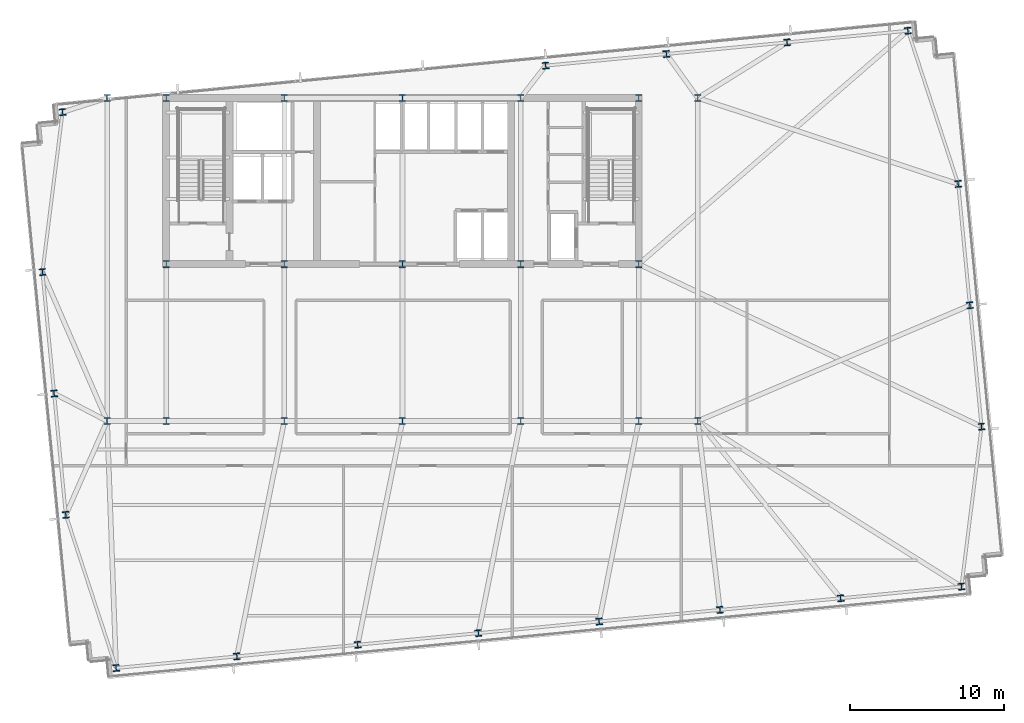
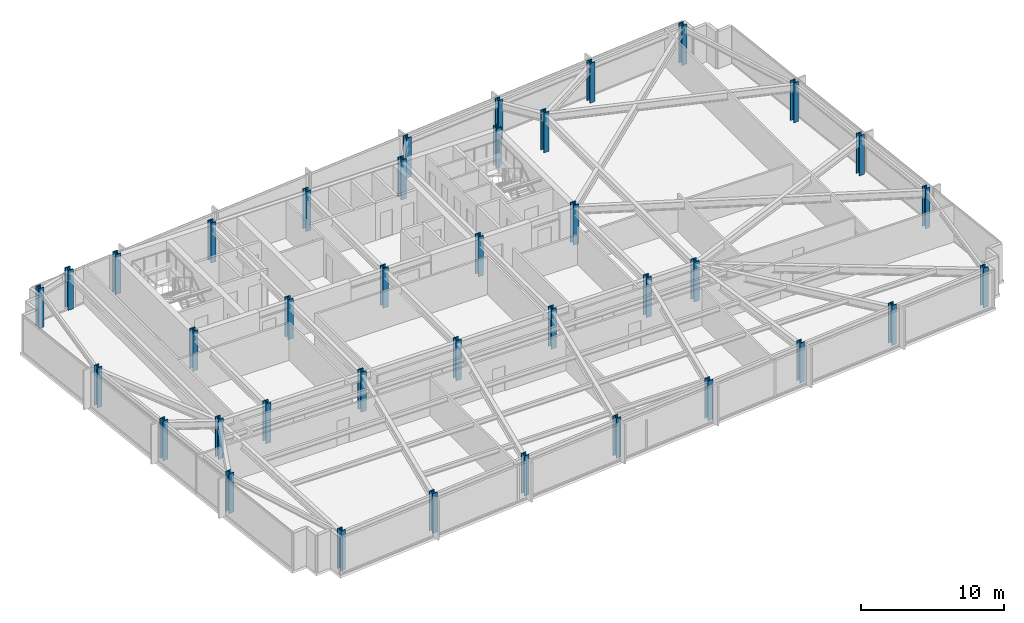
# One storey, part 1 of 32: 38 columns.
"""IFC4 building model written with IfcOpenShell, lengths in metres."""

import ifcopenshell
import ifcopenshell.guid

model = None  # the IFC model being written
_history = None  # IfcOwnerHistory: only IFC2X3 demands one
_inside = {}  # id of a spatial element -> (the spatial element, [elements in it])
_under = {}  # id of a project, library or spatial element -> (it, [spatial elements below it])
_declared = {}  # id of a project -> (the project, [libraries it declares])
_typed = {}  # id of a type object -> (the type object, [elements of that type])
_made_of = {}  # id of a material, layer set ... -> (it, [elements and type objects made of it])


def new_model(schema):
    """Start an empty IFC model of exactly this schema.

    Asked for "IFC4X3", IfcOpenShell would pick the latest addendum, in which some entities
    have other attributes; the version numbers below select the first issue.
    IFC2X3 requires an IfcOwnerHistory on every rooted entity: one is made here for all.
    """
    global model, _history
    if schema == "IFC4X3":
        model = ifcopenshell.file(schema_version=(4, 3, 0, 0))
    else:
        model = ifcopenshell.file(schema=schema)
    _inside.clear()
    _under.clear()
    _declared.clear()
    _typed.clear()
    _made_of.clear()
    _history = None
    if model.schema == "IFC2X3":
        org = make("IfcOrganization", Name="unknown")
        user = make(
            "IfcPersonAndOrganization",
            ThePerson=make("IfcPerson", FamilyName="unknown"),
            TheOrganization=org,
        )
        app = make(
            "IfcApplication",
            ApplicationDeveloper=org,
            Version="unknown",
            ApplicationFullName="unknown",
            ApplicationIdentifier="unknown",
        )
        _history = make(
            "IfcOwnerHistory",
            OwningUser=user,
            OwningApplication=app,
            ChangeAction="ADDED",
            CreationDate=0,
        )
    return model


def make(cls, **values):
    """One entity of the class cls with the attributes given. An attribute that is None is left unset."""
    return model.create_entity(
        cls, **{name: value for name, value in values.items() if value is not None}
    )


def rooted(cls, **values):
    """An entity with a GlobalId (a new one), such as an element, a storey or a relation."""
    return make(cls, GlobalId=ifcopenshell.guid.new(), OwnerHistory=_history, **values)


def si_unit(unit_type, name, prefix=None):
    """IfcSIUnit, for example si_unit("LENGTHUNIT", "METRE", prefix="MILLI")."""
    return make("IfcSIUnit", UnitType=unit_type, Prefix=prefix, Name=name)


def assignment(units):
    """IfcUnitAssignment: the units of a project."""
    return None if units is None else make("IfcUnitAssignment", Units=units)


def point(xyz):
    """IfcCartesianPoint."""
    return None if xyz is None else make("IfcCartesianPoint", Coordinates=xyz)


def direction(xyz):
    """IfcDirection."""
    return None if xyz is None else make("IfcDirection", DirectionRatios=xyz)


def frame(location, z_axis=None, x_axis=None):
    """IfcAxis2Placement3D, a coordinate frame: its origin and axes. An axis left out is left unset."""
    return make(
        "IfcAxis2Placement3D",
        Location=point(location),
        Axis=direction(z_axis),
        RefDirection=direction(x_axis),
    )


def frame_2d(location, x_axis=None):
    """IfcAxis2Placement2D, a coordinate frame in the plane: its origin and x axis."""
    return make(
        "IfcAxis2Placement2D", Location=point(location), RefDirection=direction(x_axis)
    )


def origin():
    """The frame at (0, 0, 0) with its axes left unset."""
    return frame((0.0, 0.0, 0.0))


def origin_2d():
    """The frame at (0, 0) in the plane with its x axis left unset."""
    return frame_2d((0.0, 0.0))


def place(relative_to, where):
    """IfcLocalPlacement: puts the frame where relative to a parent placement (None: the world)."""
    return make(
        "IfcLocalPlacement", PlacementRelTo=relative_to, RelativePlacement=where
    )


def context(
    kind, dimensions, precision=None, world=None, true_north=None, identifier=None
):
    """IfcGeometricRepresentationContext, for example the 3D "Model" context."""
    return make(
        "IfcGeometricRepresentationContext",
        ContextIdentifier=identifier,
        ContextType=kind,
        CoordinateSpaceDimension=dimensions,
        Precision=precision,
        WorldCoordinateSystem=world,
        TrueNorth=true_north,
    )


def subcontext(parent, identifier, kind, view, scale=None):
    """IfcGeometricRepresentationSubContext, for example "Body" below "Model"."""
    return make(
        "IfcGeometricRepresentationSubContext",
        ContextIdentifier=identifier,
        ContextType=kind,
        ParentContext=parent,
        TargetScale=scale,
        TargetView=view,
    )


def project(units=None, contexts=None):
    """IfcProject with its units and contexts."""
    return rooted(
        "IfcProject",
        Name="project",
        RepresentationContexts=contexts,
        UnitsInContext=assignment(units),
    )


def spatial(cls, under=None, at=None, **own):
    """A site, building, storey or space (cls), placed at a placement, below another one or the project."""
    s = rooted(cls, ObjectPlacement=at, **own)
    if under is not None:
        _under.setdefault(under.id(), (under, []))[1].append(s)
    return s


def profile(cls, at=None, kind="AREA", **sizes):
    """A parametric profile (cls). Its sizes go by their IFC names, for example OverallWidth=200.0."""
    return make(cls, ProfileType=kind, Position=at, **sizes)


def i_section(**sizes):
    """IfcIShapeProfileDef."""
    return profile("IfcIShapeProfileDef", **sizes)


def extrude(swept, where, along, depth):
    """IfcExtrudedAreaSolid: the profile swept, set in the frame where, extruded along a direction by depth."""
    return make(
        "IfcExtrudedAreaSolid",
        SweptArea=swept,
        Position=where,
        ExtrudedDirection=direction(along),
        Depth=depth,
    )


def shape(context_of_items, identifier, shape_type, items):
    """IfcShapeRepresentation: the items that make up one representation, for example the "Body"."""
    return make(
        "IfcShapeRepresentation",
        ContextOfItems=context_of_items,
        RepresentationIdentifier=identifier,
        RepresentationType=shape_type,
        Items=items,
    )


def material(Name=None, Category=None):
    """IfcMaterial."""
    return make("IfcMaterial", Name=Name, Category=Category)


def material_profile(
    of_material, cross_section, Name=None, Category=None, Priority=None
):
    """IfcMaterialProfile: a cross section and its material."""
    return make(
        "IfcMaterialProfile",
        Name=Name,
        Material=of_material,
        Profile=cross_section,
        Priority=Priority,
        Category=Category,
    )


def profile_set(profiles, Name=None, composite=None):
    """IfcMaterialProfileSet."""
    return make(
        "IfcMaterialProfileSet",
        Name=Name,
        MaterialProfiles=profiles,
        CompositeProfile=composite,
    )


def made_of(thing, what):
    """Note that an element or type object is made of a material, layer set ...; save() writes the relation."""
    if what is not None:
        _made_of.setdefault(what.id(), (what, []))[1].append(thing)
    return thing


def type_object(cls, material=None, **own):
    """A type object (cls), such as IfcWallType, which elements share."""
    return made_of(rooted(cls, **own), material)


def element(
    cls,
    number,
    at=None,
    inside=None,
    cuts=None,
    type_object=None,
    material=None,
    context=None,
    identifier="Body",
    shape_type=None,
    held_by="IfcProductDefinitionShape",
    body=None,
    shapes=None,
    **own,
):
    """One element of the class cls, such as IfcWall. Its Tag is "e" and its number.

    at: its placement. inside: the storey or other place that contains it. cuts: it is an
    opening in that element (IfcRelVoidsElement). A single representation is given by context,
    identifier, shape_type and body (its items); several are given by shapes. held_by: the class
    of the entity that holds the representations. save() writes the other relations.
    """
    e = rooted(cls, Tag="e%d" % number, ObjectPlacement=at, **own)
    if body is not None:
        shapes = [shape(context, identifier, shape_type, body)]
    if shapes is not None:
        e.Representation = make(held_by, Representations=shapes)
    if inside is not None:
        _inside.setdefault(inside.id(), (inside, []))[1].append(e)
    if cuts is not None:
        rooted(
            "IfcRelVoidsElement", RelatingBuildingElement=cuts, RelatedOpeningElement=e
        )
    if type_object is not None:
        _typed.setdefault(type_object.id(), (type_object, []))[1].append(e)
    return made_of(e, material)


def aggregate(whole, parts):
    """IfcRelAggregates: a whole, such as a stair, and the parts it consists of."""
    return rooted("IfcRelAggregates", RelatingObject=whole, RelatedObjects=parts)


def save(model, path):
    """Write the relations noted so far, then the file.

    IfcRelAggregates (storeys below a building ...), IfcRelContainedInSpatialStructure (elements
    in a storey), IfcRelDefinesByType, IfcRelAssociatesMaterial and IfcRelDeclares: one each for
    every whole, place, type object, material and project.
    """
    for whole, parts in _under.values():
        aggregate(whole, parts)
    for where, things in _inside.values():
        rooted(
            "IfcRelContainedInSpatialStructure",
            RelatedElements=things,
            RelatingStructure=where,
        )
    for kind, things in _typed.values():
        rooted("IfcRelDefinesByType", RelatedObjects=things, RelatingType=kind)
    for what, things in _made_of.values():
        rooted("IfcRelAssociatesMaterial", RelatedObjects=things, RelatingMaterial=what)
    for by, libraries in _declared.values():
        rooted("IfcRelDeclares", RelatingContext=by, RelatedDefinitions=libraries)
    model.write(path)


model = new_model("IFC4")

# Units and contexts
model_context = context("Model", 3, precision=1e-05, world=origin(), true_north=direction((0.0, 1.0)))
body_context = subcontext(model_context, "Body", "Model", "MODEL_VIEW")
ifc_project = project(units=[si_unit("LENGTHUNIT", "METRE"), si_unit("AREAUNIT", "SQUARE_METRE"), si_unit("VOLUMEUNIT", "CUBIC_METRE"), si_unit("PLANEANGLEUNIT", "RADIAN"), si_unit("MASSUNIT", "GRAM", prefix="KILO")], contexts=[model_context])

# Site, building, storey
site_placement = place(None, origin())
site = spatial("IfcSite", under=ifc_project, at=site_placement, CompositionType="ELEMENT")
building_placement = place(site_placement, origin())
building = spatial("IfcBuilding", under=site, at=building_placement, Name="Yelkora Congress Tower", CompositionType="ELEMENT")
storey_placement = place(building_placement, frame((0.0, 0.0, 103.300048828125)))
storey = spatial("IfcBuildingStorey", under=building, at=storey_placement, Name="L27", CompositionType="ELEMENT", Elevation=103.300048828125)

# Columns
ifc_material = material(Name="Steel S460M", Category="steel")
ifc_material_profile_1 = material_profile(ifc_material, i_section(OverallWidth=0.412109375, OverallDepth=0.43505859375, WebThickness=0.035888671875, FlangeThickness=0.05810546875, FilletRadius=0.014892578125, at=origin_2d()), Name="HD 400x463")
ifc_profile_set_1 = profile_set([ifc_material_profile_1], Name="Steel S460M")
column_type_1 = type_object("IfcColumnType", Name="COL-HD-463-EXT", PredefinedType="COLUMN", material=ifc_profile_set_1)
for number, where, z_axis, x_axis, name in (
    (1, (19.785888671875, 9.144287109375, 0.0), (0.0, 0.0, 1.0), (0.995396198367, 0.09584575252, 0.0), "L27 Perimeter Column S01"),
    (2, (27.635498046875, 9.900146484375, 0.0), (0.0, 0.0, 1.0), (0.995396198367, 0.09584575252, 0.0), "L27 Perimeter Column S02"),
    (3, (35.48486328125, 10.656005859375, 0.0), (0.0, 0.0, 1.0), (0.995396198367, 0.09584575252, 0.0), "L27 Perimeter Column S03"),
    (4, (43.334228515625, 11.411865234375, 0.0), (0.0, 0.0, 1.0), (0.995396198367, 0.09584575252, 0.0), "L27 Perimeter Column S04"),
    (5, (51.18359375, 12.16748046875, 0.0), (0.0, 0.0, 1.0), (0.995396198367, 0.09584575252, 0.0), "L27 Perimeter Column S05"),
    (6, (59.033203125, 12.92333984375, 0.0), (0.0, 0.0, 1.0), (0.995396198367, 0.09584575252, 0.0), "L27 Perimeter Column S06"),
    (7, (66.882568359375, 13.67919921875, 0.0), (0.0, 0.0, 1.0), (0.995396198367, 0.09584575252, 0.0), "L27 Perimeter Column S07"),
    (8, (74.73193359375, 14.43505859375, 0.0), (0.0, 0.0, 1.0), (0.995396198367, 0.09584575252, 0.0), "L27 Perimeter Column S08"),
    (9, (16.306884765625, 45.27734375, 0.0), (0.0, 0.0, 1.0), (0.995396198367, 0.09584575252, 0.0), "L27 Perimeter Column N01"),
    (10, (47.70458984375, 48.300537109375, 0.0), (0.0, 0.0, 1.0), (0.995396198367, 0.09584575252, 0.0), "L27 Perimeter Column N05"),
    (11, (55.553955078125, 49.056396484375, 0.0), (0.0, 0.0, 1.0), (0.995396198367, 0.09584575252, 0.0), "L27 Perimeter Column N06"),
    (12, (63.4033203125, 49.81201171875, 0.0), (0.0, 0.0, 1.0), (0.995396198367, 0.09584575252, 0.0), "L27 Perimeter Column N07"),
    (13, (71.252685546875, 50.568115234375, 0.0), (0.0, 0.0, 1.0), (0.995396198367, 0.09584575252, 0.0), "L27 Perimeter Column N08"),
    (14, (16.5166015625, 19.101806640625, 0.0), (0.0, 0.0, 1.0), (0.995396198367, 0.09584575252, 0.0), "L27 Perimeter Column W01"),
    (15, (76.041259765625, 24.83349609375, 0.0), (0.0, 0.0, 1.0), (0.995396198367, 0.09584575252, 0.0), "L27 Perimeter Column E01"),
    (16, (15.757080078125, 26.990478515625, 0.0), (0.0, 0.0, 1.0), (0.995396198367, 0.09584575252, 0.0), "L27 Perimeter Column W02"),
    (17, (75.28173828125, 32.721923828125, 0.0), (0.0, 0.0, 1.0), (0.995396198367, 0.09584575252, 0.0), "L27 Perimeter Column E02"),
    (18, (14.997314453125, 34.87890625, 0.0), (0.0, 0.0, 1.0), (0.995396198367, 0.09584575252, 0.0), "L27 Perimeter Column W03"),
    (19, (74.522216796875, 40.610595703125, 0.0), (0.0, 0.0, 1.0), (0.995396198367, 0.09584575252, 0.0), "L27 Perimeter Column E03"),
):
    element("IfcColumn", number, at=place(storey_placement, frame(where, z_axis=z_axis, x_axis=x_axis)), inside=storey, type_object=column_type_1, Name=name, PredefinedType="COLUMN", context=body_context, shape_type="SweptSolid", body=[
        extrude(i_section(OverallWidth=0.412109375, OverallDepth=0.43505859375, WebThickness=0.035888671875, FlangeThickness=0.05810546875, FilletRadius=0.014892578125, at=origin_2d()), origin(), (0.0, 0.0, 1.0), 3.39990234375),
    ])
ifc_material_profile_2 = material_profile(ifc_material, i_section(OverallWidth=0.424072265625, OverallDepth=0.47412109375, WebThickness=0.047119140625, FlangeThickness=0.076904296875, FilletRadius=0.014892578125, at=origin_2d()), Name="HD 400x634")
ifc_profile_set_2 = profile_set([ifc_material_profile_2], Name="Steel S460M")
column_type_2 = type_object("IfcColumnType", Name="COL-HD-634", PredefinedType="COLUMN", material=ifc_profile_set_2)
for number, where, z_axis, x_axis, name in (
    (20, (23.0400390625, 35.39990234375, 0.0), (0.0, 0.0, 1.0), (1.0, 0.0, 0.0), "L27 Mega Column MC-S1"),
    (21, (23.0400390625, 46.199951171875, 0.0), (0.0, 0.0, 1.0), (1.0, 0.0, 0.0), "L27 Mega Column MC-N1"),
    (22, (23.0400390625, 25.199951171875, 0.0), (0.0, 0.0, 1.0), (1.0, 0.0, 0.0), "L27 Mega Column MC-D1"),
    (23, (30.719970703125, 35.39990234375, 0.0), (0.0, 0.0, 1.0), (1.0, 0.0, 0.0), "L27 Mega Column MC-S2"),
    (24, (30.719970703125, 46.199951171875, 0.0), (0.0, 0.0, 1.0), (1.0, 0.0, 0.0), "L27 Mega Column MC-N2"),
    (25, (30.719970703125, 25.199951171875, 0.0), (0.0, 0.0, 1.0), (1.0, 0.0, 0.0), "L27 Mega Column MC-D2"),
    (26, (38.39990234375, 35.39990234375, 0.0), (0.0, 0.0, 1.0), (1.0, 0.0, 0.0), "L27 Mega Column MC-S3"),
    (27, (38.39990234375, 46.199951171875, 0.0), (0.0, 0.0, 1.0), (1.0, 0.0, 0.0), "L27 Mega Column MC-N3"),
    (28, (38.39990234375, 25.199951171875, 0.0), (0.0, 0.0, 1.0), (1.0, 0.0, 0.0), "L27 Mega Column MC-D3"),
    (29, (46.080078125, 35.39990234375, 0.0), (0.0, 0.0, 1.0), (1.0, 0.0, 0.0), "L27 Mega Column MC-S4"),
    (30, (46.080078125, 46.199951171875, 0.0), (0.0, 0.0, 1.0), (1.0, 0.0, 0.0), "L27 Mega Column MC-N4"),
    (31, (46.080078125, 25.199951171875, 0.0), (0.0, 0.0, 1.0), (1.0, 0.0, 0.0), "L27 Mega Column MC-D4"),
    (32, (53.760009765625, 35.39990234375, 0.0), (0.0, 0.0, 1.0), (1.0, 0.0, 0.0), "L27 Mega Column MC-S5"),
    (33, (53.760009765625, 46.199951171875, 0.0), (0.0, 0.0, 1.0), (1.0, 0.0, 0.0), "L27 Mega Column MC-N5"),
    (34, (53.760009765625, 25.199951171875, 0.0), (0.0, 0.0, 1.0), (1.0, 0.0, 0.0), "L27 Mega Column MC-D5"),
    (35, (19.199951171875, 25.199951171875, 0.0), (0.0, 0.0, 1.0), (1.0, 0.0, 0.0), "L27 Mega Column MC-F1"),
    (36, (57.60009765625, 25.199951171875, 0.0), (0.0, 0.0, 1.0), (1.0, 0.0, 0.0), "L27 Mega Column MC-F2"),
    (37, (19.199951171875, 46.199951171875, 0.0), (0.0, 0.0, 1.0), (1.0, 0.0, 0.0), "L27 Mega Column MC-F3"),
    (38, (57.60009765625, 46.199951171875, 0.0), (0.0, 0.0, 1.0), (1.0, 0.0, 0.0), "L27 Mega Column MC-F4"),
):
    element("IfcColumn", number, at=place(storey_placement, frame(where, z_axis=z_axis, x_axis=x_axis)), inside=storey, type_object=column_type_2, Name=name, PredefinedType="COLUMN", context=body_context, shape_type="SweptSolid", body=[
        extrude(i_section(OverallWidth=0.424072265625, OverallDepth=0.47412109375, WebThickness=0.047119140625, FlangeThickness=0.076904296875, FilletRadius=0.014892578125, at=origin_2d()), origin(), (0.0, 0.0, 1.0), 3.39990234375),
    ])

save(model, "model.ifc")
